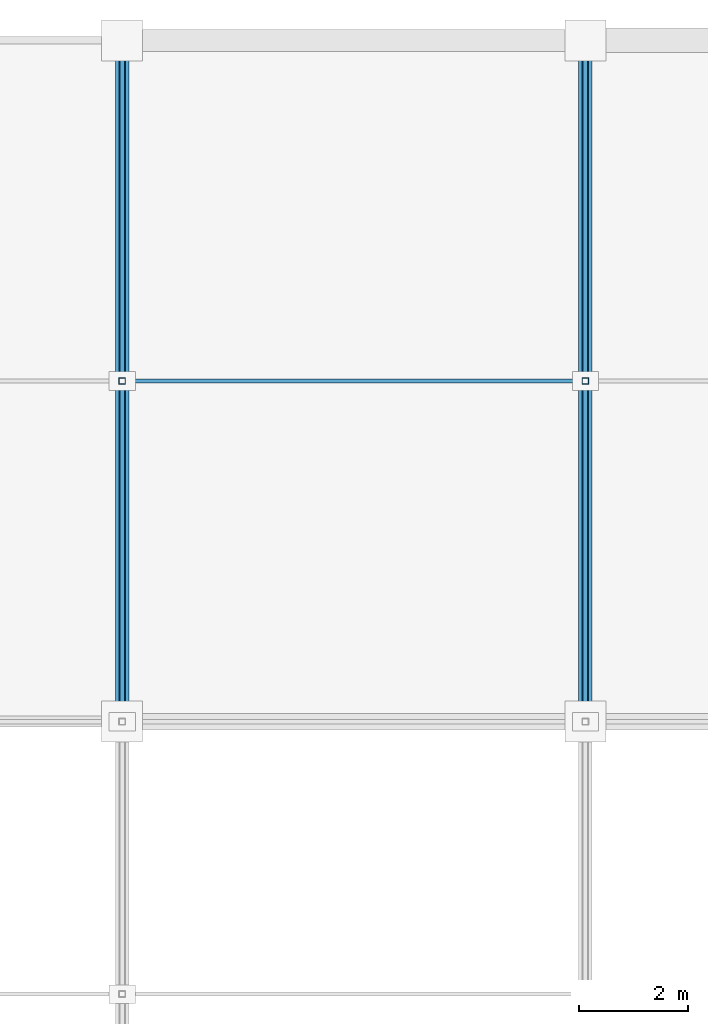
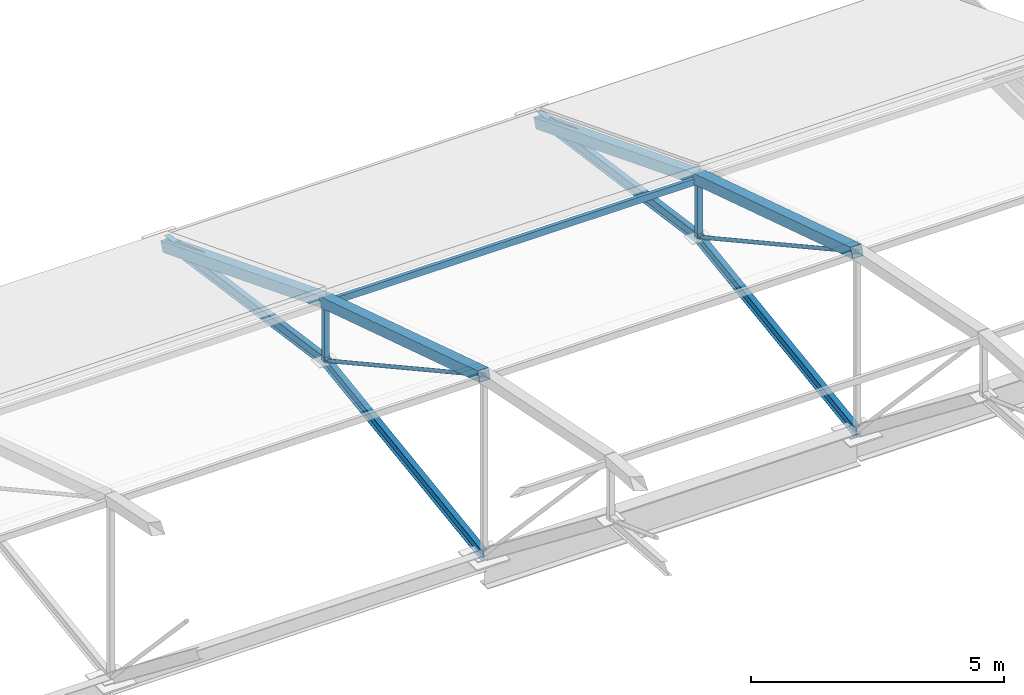
# One storey, part 35 of 66: 15 members.
"""IFC4 building model written with IfcOpenShell, lengths in metres."""

from ifc_helpers import new_model, si_unit, direction, frame, origin, origin_2d, place, context, subcontext, project, spatial, hollow_rectangle, hollow_circle, i_section, extrude, material, material_profile, profile_set, type_object, element, save


model = new_model("IFC4")

# Units and contexts
model_context = context("Model", 3, precision=1e-05, world=origin(), true_north=direction((0.0, 1.0)))
body_context = subcontext(model_context, "Body", "Model", "MODEL_VIEW")
ifc_project = project(units=[si_unit("LENGTHUNIT", "METRE"), si_unit("AREAUNIT", "SQUARE_METRE"), si_unit("VOLUMEUNIT", "CUBIC_METRE"), si_unit("PLANEANGLEUNIT", "RADIAN"), si_unit("MASSUNIT", "GRAM", prefix="KILO")], contexts=[model_context])

# Site, building, storey
site_placement = place(None, origin())
site = spatial("IfcSite", under=ifc_project, at=site_placement, CompositionType="ELEMENT")
building_placement = place(site_placement, origin())
building = spatial("IfcBuilding", under=site, at=building_placement, Name="Solvikara Media Centre", CompositionType="ELEMENT")
storey_placement = place(building_placement, frame((0.0, 0.0, 19.800048828125)))
storey = spatial("IfcBuildingStorey", under=building, at=storey_placement, Name="L04", CompositionType="ELEMENT", Elevation=19.800048828125)

# Members
ifc_material = material(Name="Steel S355JR", Category="steel")
ifc_material_profile_1 = material_profile(ifc_material, hollow_circle(Radius=0.04443359375, WallThickness=0.0048828125, at=origin_2d()), Name="CHS 88.9x5")
ifc_profile_set_1 = profile_set([ifc_material_profile_1], Name="Steel S355JR")
member_type_1 = type_object("IfcMemberType", Name="MB-10", PredefinedType="BRACE", material=ifc_profile_set_1)
member_1_placement = place(storey_placement, frame((17.0, 114.0, -0.150146484375), z_axis=(0.0, -0.936701565778, 0.350128800114), x_axis=(1.0, 0.0, 0.0)))
element("IfcMember", 1, at=member_1_placement, inside=storey, type_object=member_type_1, Name="AM-DG-02-00", PredefinedType="BRACE", context=body_context, shape_type="SweptSolid", body=[
    extrude(hollow_circle(Radius=0.04443359375, WallThickness=0.0048828125, at=origin_2d()), origin(), (0.0, 0.0, 1.0), 6.67236328125),
])
member_2_placement = place(storey_placement, frame((17.0, 107.75, 0.73583984375), z_axis=(0.0, -0.875941246781, 0.482417798374), x_axis=(1.0, 0.0, 0.0)))
element("IfcMember", 2, at=member_2_placement, inside=storey, type_object=member_type_1, Name="AM-DG-02-01", PredefinedType="BRACE", context=body_context, shape_type="SweptSolid", body=[
    extrude(hollow_circle(Radius=0.04443359375, WallThickness=0.0048828125, at=origin_2d()), origin(), (0.0, 0.0, 1.0), 7.13525390625),
])
member_3_placement = place(storey_placement, frame((25.5, 114.0, -0.150146484375), z_axis=(0.0, -0.936701565778, 0.350128800114), x_axis=(1.0, 0.0, 0.0)))
element("IfcMember", 3, at=member_3_placement, inside=storey, type_object=member_type_1, Name="AM-DG-03-00", PredefinedType="BRACE", context=body_context, shape_type="SweptSolid", body=[
    extrude(hollow_circle(Radius=0.04443359375, WallThickness=0.0048828125, at=origin_2d()), origin(), (0.0, 0.0, 1.0), 6.67236328125),
])
member_4_placement = place(storey_placement, frame((25.5, 107.75, 0.73583984375), z_axis=(0.0, -0.875941246781, 0.482417798374), x_axis=(1.0, 0.0, 0.0)))
element("IfcMember", 4, at=member_4_placement, inside=storey, type_object=member_type_1, Name="AM-DG-03-01", PredefinedType="BRACE", context=body_context, shape_type="SweptSolid", body=[
    extrude(hollow_circle(Radius=0.04443359375, WallThickness=0.0048828125, at=origin_2d()), origin(), (0.0, 0.0, 1.0), 7.13525390625),
])
ifc_material_profile_2 = material_profile(ifc_material, hollow_rectangle(XDim=0.25, YDim=0.25, WallThickness=0.010009765625, at=origin_2d()), Name="RHS 250x250x10")
ifc_profile_set_2 = profile_set([ifc_material_profile_2], Name="Steel S355JR")
member_type_2 = type_object("IfcMemberType", Name="MB-12", PredefinedType="CHORD", material=ifc_profile_set_2)
member_5_placement = place(storey_placement, frame((17.0, 114.0, -0.26513671875), z_axis=(0.0, -0.930963503854, 0.365112249168), x_axis=(1.0, 0.0, 0.0)))
element("IfcMember", 5, at=member_5_placement, inside=storey, type_object=member_type_2, Name="AM-TC-02-00", PredefinedType="CHORD", context=body_context, shape_type="SweptSolid", body=[
    extrude(hollow_rectangle(XDim=0.25, YDim=0.25, WallThickness=0.010009765625, at=origin_2d()), origin(), (0.0, 0.0, 1.0), 6.71337890625),
])
member_6_placement = place(storey_placement, frame((17.0, 107.75, 2.18603515625), z_axis=(0.0, -0.952780010233, 0.303661410293), x_axis=(1.0, 0.0, 0.0)))
element("IfcMember", 6, at=member_6_placement, inside=storey, type_object=member_type_2, Name="AM-TC-02-01", PredefinedType="CHORD", context=body_context, shape_type="SweptSolid", body=[
    extrude(hollow_rectangle(XDim=0.25, YDim=0.25, WallThickness=0.010009765625, at=origin_2d()), origin(), (0.0, 0.0, 1.0), 6.559814453125),
])
member_7_placement = place(storey_placement, frame((25.5, 114.0, -0.26513671875), z_axis=(0.0, -0.930963503854, 0.365112249168), x_axis=(1.0, 0.0, 0.0)))
element("IfcMember", 7, at=member_7_placement, inside=storey, type_object=member_type_2, Name="AM-TC-03-00", PredefinedType="CHORD", context=body_context, shape_type="SweptSolid", body=[
    extrude(hollow_rectangle(XDim=0.25, YDim=0.25, WallThickness=0.010009765625, at=origin_2d()), origin(), (0.0, 0.0, 1.0), 6.71337890625),
])
member_8_placement = place(storey_placement, frame((25.5, 107.75, 2.18603515625), z_axis=(0.0, -0.952780010233, 0.303661410293), x_axis=(1.0, 0.0, 0.0)))
element("IfcMember", 8, at=member_8_placement, inside=storey, type_object=member_type_2, Name="AM-TC-03-01", PredefinedType="CHORD", context=body_context, shape_type="SweptSolid", body=[
    extrude(hollow_rectangle(XDim=0.25, YDim=0.25, WallThickness=0.010009765625, at=origin_2d()), origin(), (0.0, 0.0, 1.0), 6.559814453125),
])
ifc_material_profile_3 = material_profile(ifc_material, hollow_rectangle(XDim=0.080078125, YDim=0.159912109375, WallThickness=0.0048828125, at=origin_2d()), Name="RHS 160x80x5")
ifc_profile_set_3 = profile_set([ifc_material_profile_3], Name="Steel S355JR")
member_type_3 = type_object("IfcMemberType", Name="MB-19", PredefinedType="PURLIN", material=ifc_profile_set_3)
member_9_placement = place(storey_placement, frame((17.0, 107.75, 2.120849609375), z_axis=(1.0, 0.0, 0.0), x_axis=(0.0, 1.0, 0.0)))
element("IfcMember", 9, at=member_9_placement, inside=storey, type_object=member_type_3, Name="AM-PRL-02-01", PredefinedType="PURLIN", context=body_context, shape_type="SweptSolid", body=[
    extrude(hollow_rectangle(XDim=0.080078125, YDim=0.159912109375, WallThickness=0.0048828125, at=origin_2d()), origin(), (0.0, 0.0, 1.0), 8.5),
])
ifc_material_profile_4 = material_profile(ifc_material, i_section(OverallWidth=0.1240234375, OverallDepth=0.248046875, WebThickness=0.0048828125, FlangeThickness=0.008056640625, at=origin_2d()), Name="WF 248x124x5x8")
ifc_profile_set_4 = profile_set([ifc_material_profile_4], Name="Steel S355JR")
member_type_4 = type_object("IfcMemberType", Name="MB-23", PredefinedType="STRINGER", material=ifc_profile_set_4)
for number, where, z_axis, x_axis, name in (
    (10, (17.0, 114.0, -0.150146484375), (0.0, -0.990101301761, 0.140354594691), (1.0, 0.0, 0.0), "AM-BC-02-00"),
    (11, (17.0, 107.75, 0.73583984375), (0.0, -0.990101301761, -0.140354594691), (1.0, 0.0, 0.0), "AM-BC-02-01"),
    (12, (25.5, 114.0, -0.150146484375), (0.0, -0.990101301761, 0.140354594691), (1.0, 0.0, 0.0), "AM-BC-03-00"),
    (13, (25.5, 107.75, 0.73583984375), (0.0, -0.990101301761, -0.140354594691), (1.0, 0.0, 0.0), "AM-BC-03-01"),
):
    element("IfcMember", number, at=place(storey_placement, frame(where, z_axis=z_axis, x_axis=x_axis)), inside=storey, type_object=member_type_4, Name=name, PredefinedType="STRINGER", context=body_context, shape_type="SweptSolid", body=[
        extrude(i_section(OverallWidth=0.1240234375, OverallDepth=0.248046875, WebThickness=0.0048828125, FlangeThickness=0.008056640625, at=origin_2d()), origin(), (0.0, 0.0, 1.0), 6.3125),
    ])
ifc_material_profile_5 = material_profile(ifc_material, hollow_rectangle(XDim=0.1201171875, YDim=0.1201171875, WallThickness=0.006103515625, at=origin_2d()), Name="RHS 120x120x6")
ifc_profile_set_5 = profile_set([ifc_material_profile_5], Name="Steel S355JR")
member_type_5 = type_object("IfcMemberType", Name="MB-24", PredefinedType="POST", material=ifc_profile_set_5)
for number, where, z_axis, x_axis, name in (
    (14, (17.0, 107.75, 0.73583984375), (0.0, 0.0, 1.0), (1.0, 0.0, 0.0), "AM-VT-02-01"),
    (15, (25.5, 107.75, 0.73583984375), (0.0, 0.0, 1.0), (1.0, 0.0, 0.0), "AM-VT-03-01"),
):
    element("IfcMember", number, at=place(storey_placement, frame(where, z_axis=z_axis, x_axis=x_axis)), inside=storey, type_object=member_type_5, Name=name, PredefinedType="POST", context=body_context, shape_type="SweptSolid", body=[
        extrude(hollow_rectangle(XDim=0.1201171875, YDim=0.1201171875, WallThickness=0.006103515625, at=origin_2d()), origin(), (0.0, 0.0, 1.0), 1.4501953125),
    ])

save(model, "model.ifc")
